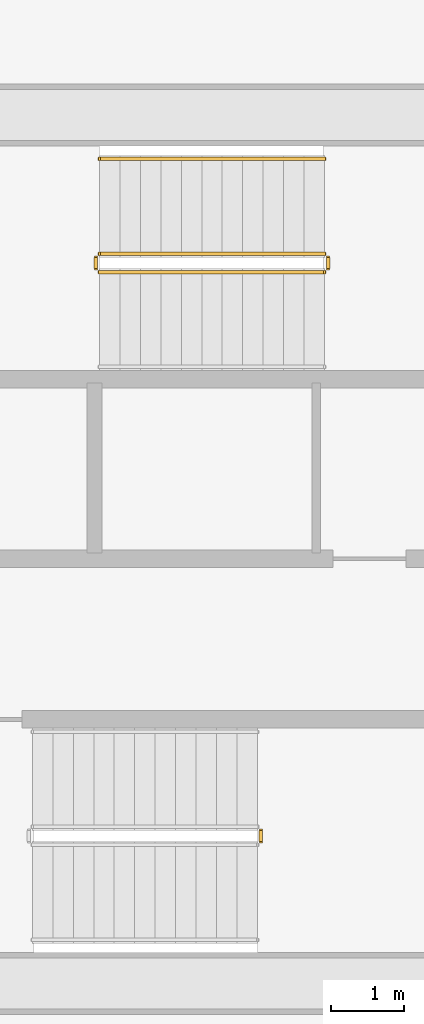
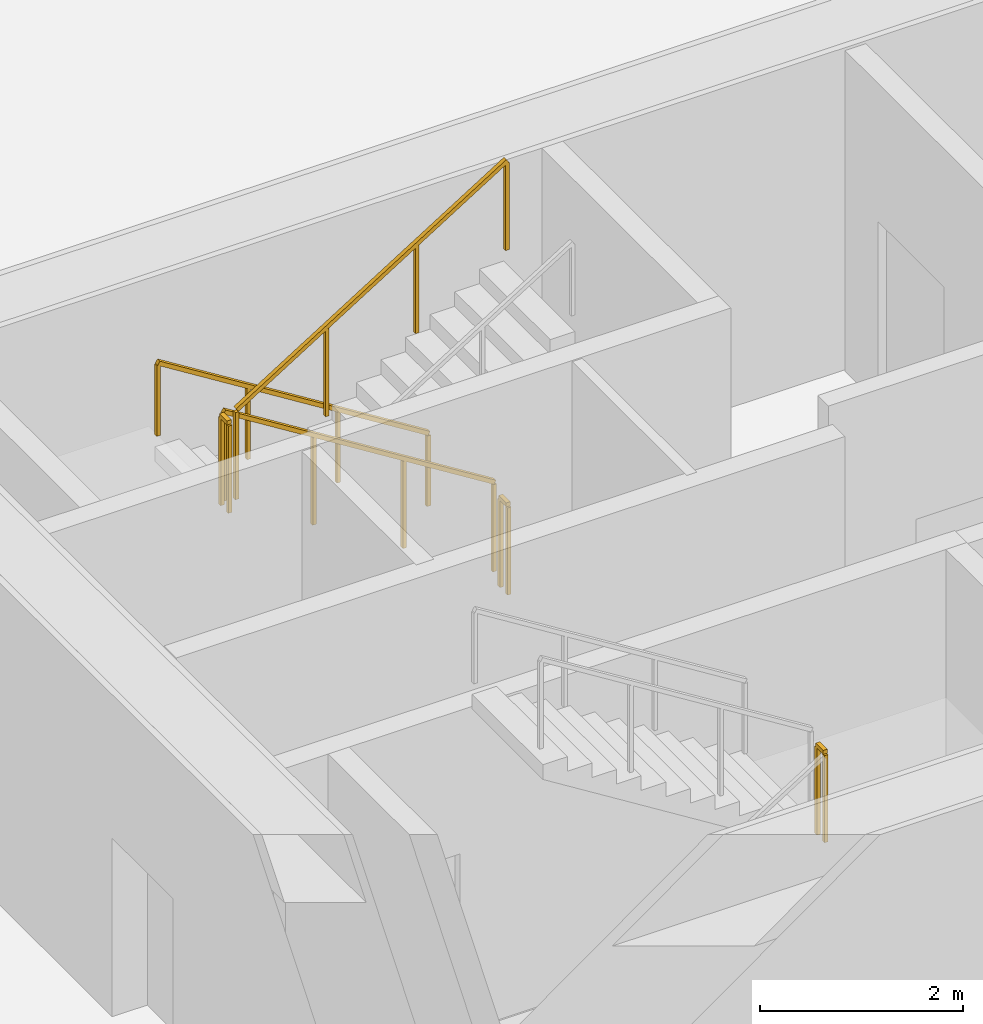
# One storey, part 14 of 14: 6 railings.
"""IFC4 building model written with IfcOpenShell, lengths in metres."""

import ifcopenshell
import ifcopenshell.guid

model = None  # the IFC model being written
_history = None  # IfcOwnerHistory: only IFC2X3 demands one
_inside = {}  # id of a spatial element -> (the spatial element, [elements in it])
_under = {}  # id of a project, library or spatial element -> (it, [spatial elements below it])
_declared = {}  # id of a project -> (the project, [libraries it declares])
_typed = {}  # id of a type object -> (the type object, [elements of that type])
_made_of = {}  # id of a material, layer set ... -> (it, [elements and type objects made of it])


def new_model(schema):
    """Start an empty IFC model of exactly this schema.

    Asked for "IFC4X3", IfcOpenShell would pick the latest addendum, in which some entities
    have other attributes; the version numbers below select the first issue.
    IFC2X3 requires an IfcOwnerHistory on every rooted entity: one is made here for all.
    """
    global model, _history
    if schema == "IFC4X3":
        model = ifcopenshell.file(schema_version=(4, 3, 0, 0))
    else:
        model = ifcopenshell.file(schema=schema)
    _inside.clear()
    _under.clear()
    _declared.clear()
    _typed.clear()
    _made_of.clear()
    _history = None
    if model.schema == "IFC2X3":
        org = make("IfcOrganization", Name="unknown")
        user = make(
            "IfcPersonAndOrganization",
            ThePerson=make("IfcPerson", FamilyName="unknown"),
            TheOrganization=org,
        )
        app = make(
            "IfcApplication",
            ApplicationDeveloper=org,
            Version="unknown",
            ApplicationFullName="unknown",
            ApplicationIdentifier="unknown",
        )
        _history = make(
            "IfcOwnerHistory",
            OwningUser=user,
            OwningApplication=app,
            ChangeAction="ADDED",
            CreationDate=0,
        )
    return model


def make(cls, **values):
    """One entity of the class cls with the attributes given. An attribute that is None is left unset."""
    return model.create_entity(
        cls, **{name: value for name, value in values.items() if value is not None}
    )


def rooted(cls, **values):
    """An entity with a GlobalId (a new one), such as an element, a storey or a relation."""
    return make(cls, GlobalId=ifcopenshell.guid.new(), OwnerHistory=_history, **values)


def si_unit(unit_type, name, prefix=None):
    """IfcSIUnit, for example si_unit("LENGTHUNIT", "METRE", prefix="MILLI")."""
    return make("IfcSIUnit", UnitType=unit_type, Prefix=prefix, Name=name)


def assignment(units):
    """IfcUnitAssignment: the units of a project."""
    return None if units is None else make("IfcUnitAssignment", Units=units)


def point(xyz):
    """IfcCartesianPoint."""
    return None if xyz is None else make("IfcCartesianPoint", Coordinates=xyz)


def direction(xyz):
    """IfcDirection."""
    return None if xyz is None else make("IfcDirection", DirectionRatios=xyz)


def frame(location, z_axis=None, x_axis=None):
    """IfcAxis2Placement3D, a coordinate frame: its origin and axes. An axis left out is left unset."""
    return make(
        "IfcAxis2Placement3D",
        Location=point(location),
        Axis=direction(z_axis),
        RefDirection=direction(x_axis),
    )


def frame_2d(location, x_axis=None):
    """IfcAxis2Placement2D, a coordinate frame in the plane: its origin and x axis."""
    return make(
        "IfcAxis2Placement2D", Location=point(location), RefDirection=direction(x_axis)
    )


def origin():
    """The frame at (0, 0, 0) with its axes left unset."""
    return frame((0.0, 0.0, 0.0))


def origin_2d():
    """The frame at (0, 0) in the plane with its x axis left unset."""
    return frame_2d((0.0, 0.0))


def place(relative_to, where):
    """IfcLocalPlacement: puts the frame where relative to a parent placement (None: the world)."""
    return make(
        "IfcLocalPlacement", PlacementRelTo=relative_to, RelativePlacement=where
    )


def context(
    kind, dimensions, precision=None, world=None, true_north=None, identifier=None
):
    """IfcGeometricRepresentationContext, for example the 3D "Model" context."""
    return make(
        "IfcGeometricRepresentationContext",
        ContextIdentifier=identifier,
        ContextType=kind,
        CoordinateSpaceDimension=dimensions,
        Precision=precision,
        WorldCoordinateSystem=world,
        TrueNorth=true_north,
    )


def subcontext(parent, identifier, kind, view, scale=None):
    """IfcGeometricRepresentationSubContext, for example "Body" below "Model"."""
    return make(
        "IfcGeometricRepresentationSubContext",
        ContextIdentifier=identifier,
        ContextType=kind,
        ParentContext=parent,
        TargetScale=scale,
        TargetView=view,
    )


def project(units=None, contexts=None):
    """IfcProject with its units and contexts."""
    return rooted(
        "IfcProject",
        Name="project",
        RepresentationContexts=contexts,
        UnitsInContext=assignment(units),
    )


def spatial(cls, under=None, at=None, **own):
    """A site, building, storey or space (cls), placed at a placement, below another one or the project."""
    s = rooted(cls, ObjectPlacement=at, **own)
    if under is not None:
        _under.setdefault(under.id(), (under, []))[1].append(s)
    return s


def profile(cls, at=None, kind="AREA", **sizes):
    """A parametric profile (cls). Its sizes go by their IFC names, for example OverallWidth=200.0."""
    return make(cls, ProfileType=kind, Position=at, **sizes)


def rectangle(**sizes):
    """IfcRectangleProfileDef."""
    return profile("IfcRectangleProfileDef", **sizes)


def extrude(swept, where, along, depth):
    """IfcExtrudedAreaSolid: the profile swept, set in the frame where, extruded along a direction by depth."""
    return make(
        "IfcExtrudedAreaSolid",
        SweptArea=swept,
        Position=where,
        ExtrudedDirection=direction(along),
        Depth=depth,
    )


def shape(context_of_items, identifier, shape_type, items):
    """IfcShapeRepresentation: the items that make up one representation, for example the "Body"."""
    return make(
        "IfcShapeRepresentation",
        ContextOfItems=context_of_items,
        RepresentationIdentifier=identifier,
        RepresentationType=shape_type,
        Items=items,
    )


def material(Name=None, Category=None):
    """IfcMaterial."""
    return make("IfcMaterial", Name=Name, Category=Category)


def made_of(thing, what):
    """Note that an element or type object is made of a material, layer set ...; save() writes the relation."""
    if what is not None:
        _made_of.setdefault(what.id(), (what, []))[1].append(thing)
    return thing


def type_object(cls, material=None, **own):
    """A type object (cls), such as IfcWallType, which elements share."""
    return made_of(rooted(cls, **own), material)


def element(
    cls,
    number,
    at=None,
    inside=None,
    cuts=None,
    type_object=None,
    material=None,
    context=None,
    identifier="Body",
    shape_type=None,
    held_by="IfcProductDefinitionShape",
    body=None,
    shapes=None,
    **own,
):
    """One element of the class cls, such as IfcWall. Its Tag is "e" and its number.

    at: its placement. inside: the storey or other place that contains it. cuts: it is an
    opening in that element (IfcRelVoidsElement). A single representation is given by context,
    identifier, shape_type and body (its items); several are given by shapes. held_by: the class
    of the entity that holds the representations. save() writes the other relations.
    """
    e = rooted(cls, Tag="e%d" % number, ObjectPlacement=at, **own)
    if body is not None:
        shapes = [shape(context, identifier, shape_type, body)]
    if shapes is not None:
        e.Representation = make(held_by, Representations=shapes)
    if inside is not None:
        _inside.setdefault(inside.id(), (inside, []))[1].append(e)
    if cuts is not None:
        rooted(
            "IfcRelVoidsElement", RelatingBuildingElement=cuts, RelatedOpeningElement=e
        )
    if type_object is not None:
        _typed.setdefault(type_object.id(), (type_object, []))[1].append(e)
    return made_of(e, material)


def aggregate(whole, parts):
    """IfcRelAggregates: a whole, such as a stair, and the parts it consists of."""
    return rooted("IfcRelAggregates", RelatingObject=whole, RelatedObjects=parts)


def save(model, path):
    """Write the relations noted so far, then the file.

    IfcRelAggregates (storeys below a building ...), IfcRelContainedInSpatialStructure (elements
    in a storey), IfcRelDefinesByType, IfcRelAssociatesMaterial and IfcRelDeclares: one each for
    every whole, place, type object, material and project.
    """
    for whole, parts in _under.values():
        aggregate(whole, parts)
    for where, things in _inside.values():
        rooted(
            "IfcRelContainedInSpatialStructure",
            RelatedElements=things,
            RelatingStructure=where,
        )
    for kind, things in _typed.values():
        rooted("IfcRelDefinesByType", RelatedObjects=things, RelatingType=kind)
    for what, things in _made_of.values():
        rooted("IfcRelAssociatesMaterial", RelatedObjects=things, RelatingMaterial=what)
    for by, libraries in _declared.values():
        rooted("IfcRelDeclares", RelatingContext=by, RelatedDefinitions=libraries)
    model.write(path)


model = new_model("IFC4")

# Units and contexts
model_context = context("Model", 3, precision=1e-05, world=origin(), true_north=direction((0.0, 1.0)))
body_context = subcontext(model_context, "Body", "Model", "MODEL_VIEW")
ifc_project = project(units=[si_unit("LENGTHUNIT", "METRE"), si_unit("AREAUNIT", "SQUARE_METRE"), si_unit("VOLUMEUNIT", "CUBIC_METRE"), si_unit("PLANEANGLEUNIT", "RADIAN"), si_unit("MASSUNIT", "GRAM", prefix="KILO")], contexts=[model_context])

# Site, building, storey
site_placement = place(None, origin())
site = spatial("IfcSite", under=ifc_project, at=site_placement, CompositionType="ELEMENT")
building_placement = place(site_placement, origin())
building = spatial("IfcBuilding", under=site, at=building_placement, Name="Norrkilde Senior Care Towers", CompositionType="ELEMENT")
storey_placement = place(building_placement, frame((0.0, 0.0, -4.199951171875)))
storey = spatial("IfcBuildingStorey", under=building, at=storey_placement, Name="B1", CompositionType="ELEMENT", Elevation=-4.199951171875)

# Railings
ifc_material_1 = material(Name="Stainless Steel", Category="steel")
railing_type_1 = type_object("IfcRailingType", Name="Stair and Terrace Guardrail 1100", PredefinedType="GUARDRAIL", material=ifc_material_1)
railing_1_placement = place(storey_placement, frame((26.89990234375, 4.050048828125, 0.175048828125)))
element("IfcRailing", 1, at=railing_1_placement, inside=storey, type_object=railing_type_1, Name="B1 ST-E1 stair guard 1", PredefinedType="GUARDRAIL", context=body_context, shape_type="SweptSolid", body=[
    extrude(rectangle(XDim=0.048095703125, YDim=0.048095703125, at=origin_2d()), frame((0.0, 0.0, 1.076171875), z_axis=(-0.848009633417, 0.0, 0.529980812513), x_axis=(0.0, -1.0, 0.0)), (0.0, 0.0, 1.0), 3.6318359375),
    extrude(rectangle(XDim=0.0419921875, YDim=0.0419921875, at=origin_2d()), origin(), (0.0, 0.0, 1.0), 1.050048828125),
    extrude(rectangle(XDim=0.0419921875, YDim=0.0419921875, at=origin_2d()), frame((-1.026611328125, 0.0, 0.6416015625)), (0.0, 0.0, 1.0), 1.050048828125),
    extrude(rectangle(XDim=0.0419921875, YDim=0.0419921875, at=origin_2d()), frame((-2.05322265625, 0.0, 1.283203125)), (0.0, 0.0, 1.0), 1.050048828125),
    extrude(rectangle(XDim=0.0419921875, YDim=0.0419921875, at=origin_2d()), frame((-3.079833984375, 0.0, 1.9248046875)), (0.0, 0.0, 1.0), 1.050048828125),
])
railing_2_placement = place(storey_placement, frame((23.77001953125, 4.0, 2.099853515625)))
element("IfcRailing", 2, at=railing_2_placement, inside=storey, type_object=railing_type_1, Name="B1 ST-E1 stair guard 2", PredefinedType="GUARDRAIL", context=body_context, shape_type="SweptSolid", body=[
    extrude(rectangle(XDim=0.048095703125, YDim=0.048095703125, at=origin_2d()), frame((0.0, 0.0, 1.076171875), z_axis=(0.0, -1.0, 0.0), x_axis=(1.0, 0.0, 0.0)), (0.0, 0.0, 1.0), 0.14990234375),
    extrude(rectangle(XDim=0.0419921875, YDim=0.0419921875, at=origin_2d()), origin(), (0.0, 0.0, 1.0), 1.050048828125),
    extrude(rectangle(XDim=0.0419921875, YDim=0.0419921875, at=origin_2d()), frame((0.0, -0.14990234375, 0.0)), (0.0, 0.0, 1.0), 1.050048828125),
])
railing_3_placement = place(storey_placement, frame((23.820068359375, 3.800048828125, 2.27490234375)))
element("IfcRailing", 3, at=railing_3_placement, inside=storey, type_object=railing_type_1, Name="B1 ST-E1 stair guard 3", PredefinedType="GUARDRAIL", context=body_context, shape_type="SweptSolid", body=[
    extrude(rectangle(XDim=0.048095703125, YDim=0.048095703125, at=origin_2d()), frame((0.0, 0.0, 1.076171875), z_axis=(0.847979421464, 0.0, 0.530029150871), x_axis=(0.0, 1.0, 0.0)), (0.0, 0.0, 1.0), 3.632080078125),
    extrude(rectangle(XDim=0.0419921875, YDim=0.0419921875, at=origin_2d()), origin(), (0.0, 0.0, 1.0), 1.050048828125),
    extrude(rectangle(XDim=0.0419921875, YDim=0.0419921875, at=origin_2d()), frame((1.026611328125, 0.0, 0.6416015625)), (0.0, 0.0, 1.0), 1.050048828125),
    extrude(rectangle(XDim=0.0419921875, YDim=0.0419921875, at=origin_2d()), frame((2.05322265625, 0.0, 1.283447265625)), (0.0, 0.0, 1.0), 1.050048828125),
    extrude(rectangle(XDim=0.0419921875, YDim=0.0419921875, at=origin_2d()), frame((3.079833984375, 0.0, 1.925048828125)), (0.0, 0.0, 1.0), 1.050048828125),
])
railing_4_placement = place(storey_placement, frame((26.949951171875, 4.0, 0.0)))
element("IfcRailing", 4, at=railing_4_placement, inside=storey, type_object=railing_type_1, Name="B1 ST-E1 stair guard 4", PredefinedType="GUARDRAIL", context=body_context, shape_type="SweptSolid", body=[
    extrude(rectangle(XDim=0.048095703125, YDim=0.048095703125, at=origin_2d()), frame((0.0, 0.0, 1.076171875), z_axis=(0.0, -1.0, 0.0), x_axis=(1.0, 0.0, 0.0)), (0.0, 0.0, 1.0), 0.14990234375),
    extrude(rectangle(XDim=0.0419921875, YDim=0.0419921875, at=origin_2d()), origin(), (0.0, 0.0, 1.0), 1.050048828125),
    extrude(rectangle(XDim=0.0419921875, YDim=0.0419921875, at=origin_2d()), frame((0.0, -0.14990234375, 0.0)), (0.0, 0.0, 1.0), 1.050048828125),
])
railing_5_placement = place(storey_placement, frame((26.030029296875, -4.0, 2.099853515625)))
element("IfcRailing", 5, at=railing_5_placement, inside=storey, type_object=railing_type_1, Name="B1 ST-E2 stair guard 2", PredefinedType="GUARDRAIL", context=body_context, shape_type="SweptSolid", body=[
    extrude(rectangle(XDim=0.048095703125, YDim=0.048095703125, at=origin_2d()), frame((0.0, 0.0, 1.076171875), z_axis=(0.0, 1.0, 0.0), x_axis=(-1.0, 0.0, 0.0)), (0.0, 0.0, 1.0), 0.14990234375),
    extrude(rectangle(XDim=0.0419921875, YDim=0.0419921875, at=origin_2d()), origin(), (0.0, 0.0, 1.0), 1.050048828125),
    extrude(rectangle(XDim=0.0419921875, YDim=0.0419921875, at=origin_2d()), frame((0.0, 0.14990234375, 0.0)), (0.0, 0.0, 1.0), 1.050048828125),
])
ifc_material_2 = material(Name="Nordic Ash Timber", Category="wood")
railing_type_2 = type_object("IfcRailingType", Name="Wall and Stair Handrail 900", PredefinedType="HANDRAIL", material=ifc_material_2)
railing_6_placement = place(storey_placement, frame((26.89990234375, 5.35009765625, 0.175048828125)))
element("IfcRailing", 6, at=railing_6_placement, inside=storey, type_object=railing_type_2, Name="B1 ST-E1 stair handrail 1", PredefinedType="HANDRAIL", context=body_context, shape_type="SweptSolid", body=[
    extrude(rectangle(XDim=0.048095703125, YDim=0.048095703125, at=origin_2d()), frame((0.0, 0.0, 0.8759765625), z_axis=(-0.848009633417, 0.0, 0.529980812513), x_axis=(0.0, -1.0, 0.0)), (0.0, 0.0, 1.0), 3.6318359375),
    extrude(rectangle(XDim=0.0419921875, YDim=0.0419921875, at=origin_2d()), origin(), (0.0, 0.0, 1.0), 0.849853515625),
    extrude(rectangle(XDim=0.0419921875, YDim=0.0419921875, at=origin_2d()), frame((-1.026611328125, 0.0, 0.6416015625)), (0.0, 0.0, 1.0), 0.849853515625),
    extrude(rectangle(XDim=0.0419921875, YDim=0.0419921875, at=origin_2d()), frame((-2.05322265625, 0.0, 1.283203125)), (0.0, 0.0, 1.0), 0.849853515625),
    extrude(rectangle(XDim=0.0419921875, YDim=0.0419921875, at=origin_2d()), frame((-3.079833984375, 0.0, 1.9248046875)), (0.0, 0.0, 1.0), 0.849853515625),
])

save(model, "model.ifc")
